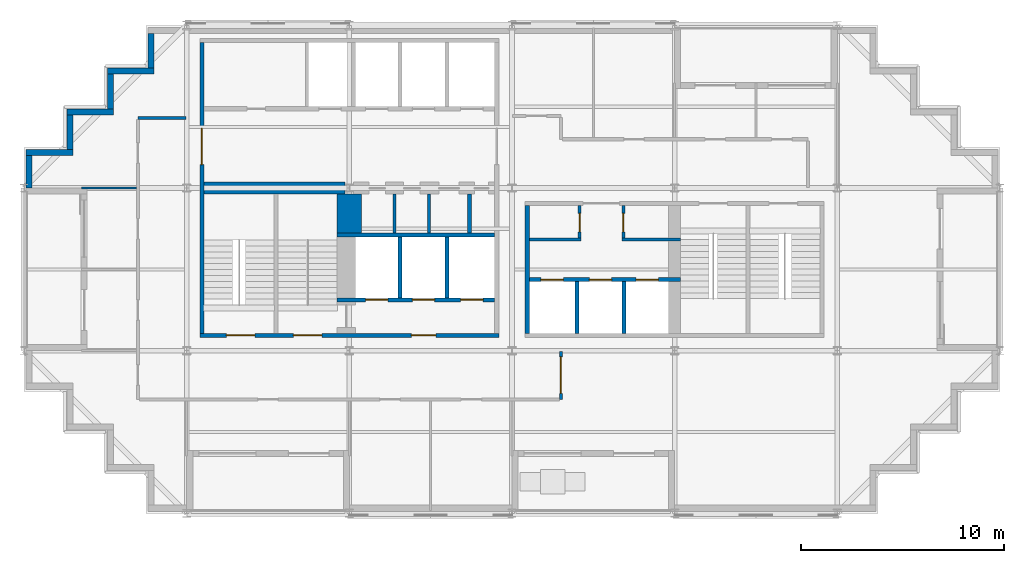
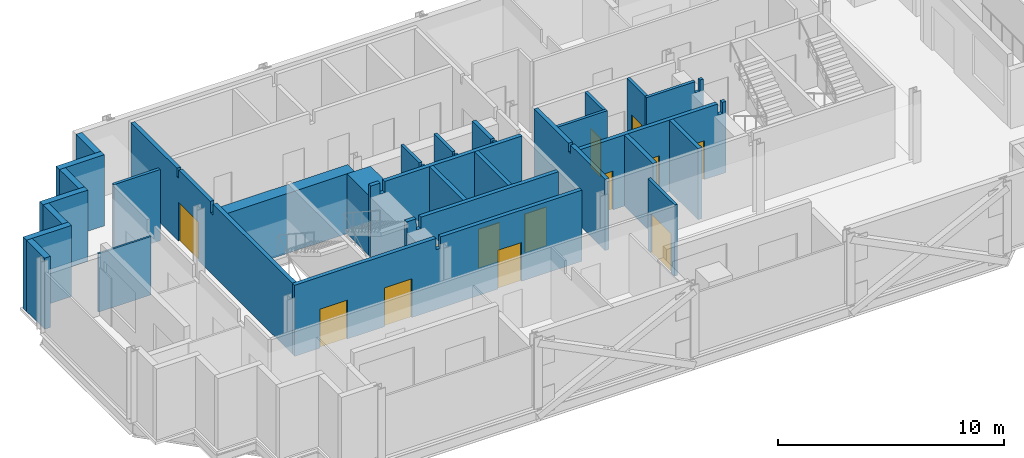
# One storey, part 3 of 8: 29 walls, 13 doors, 13 openings.
"""IFC4 building model written with IfcOpenShell, lengths in metres."""

from ifc_helpers import new_model, si_unit, direction, frame, frame_2d, origin, place, context, subcontext, project, spatial, polyline, rectangle, outline, extrude, material, layer, layer_set, type_object, element, fill, save


model = new_model("IFC4")

# Units and contexts
model_context = context("Model", 3, precision=1e-05, world=origin(), true_north=direction((0.0, 1.0)))
body_context = subcontext(model_context, "Body", "Model", "MODEL_VIEW")
ifc_project = project(units=[si_unit("LENGTHUNIT", "METRE"), si_unit("AREAUNIT", "SQUARE_METRE"), si_unit("VOLUMEUNIT", "CUBIC_METRE"), si_unit("PLANEANGLEUNIT", "RADIAN"), si_unit("MASSUNIT", "GRAM", prefix="KILO")], contexts=[model_context])

# Site, building, storey
site_placement = place(None, origin())
site = spatial("IfcSite", under=ifc_project, at=site_placement, CompositionType="ELEMENT")
building_placement = place(site_placement, origin())
building = spatial("IfcBuilding", under=site, at=building_placement, Name="Immortelle Media Tower", CompositionType="ELEMENT")
storey_placement = place(building_placement, frame((0.0, 0.0, 201.0)))
storey = spatial("IfcBuildingStorey", under=building, at=storey_placement, Name="L42", CompositionType="ELEMENT", Elevation=201.0)

# Walls
ifc_material_1 = material(Name="Fire-rated gypsum board", Category="gypsum")
ifc_layer_1 = layer(ifc_material_1, 0.02490234375)
ifc_material_2 = material(Name="Steel ASTM A653 SS Gr 50 stud frame with mineral wool", Category="steel")
ifc_layer_2 = layer(ifc_material_2, 0.10009765625)
ifc_layer_3 = layer(ifc_material_1, 0.02490234375)
ifc_layer_set_1 = layer_set([ifc_layer_1, ifc_layer_2, ifc_layer_3], Name="Steel ASTM A653 SS Gr 50 stud frame with mineral wool")
wall_type_1 = type_object("IfcWallType", Name="Core partition 150", PredefinedType="PARTITIONING", material=ifc_layer_set_1)
for number, where, z_axis, x_axis, name in (
    (1, (18.22509765625, 13.800048828125, 0.0), (0.0, 0.0, 1.0), (0.0, 1.0, 0.0), "Core partition SW"),
    (2, (19.925048828125, 13.800048828125, 0.0), (0.0, 0.0, 1.0), (0.0, 1.0, 0.0), "Core partition SW"),
):
    element("IfcWall", number, at=place(storey_placement, frame(where, z_axis=z_axis, x_axis=x_axis)), inside=storey, type_object=wall_type_1, Name=name, PredefinedType="PARTITIONING", context=body_context, shape_type="SweptSolid", body=[
        extrude(outline(polyline([(0.0, 0.0), (1.89990234375, 0.0), (1.89990234375, 3.85009765625), (0.281494140625, 3.85009765625), (0.280517578125, 3.388916015625), (0.119384765625, 3.388916015625), (0.118408203125, 3.85009765625), (0.0, 3.85009765625), (0.0, 0.0)])), frame((0.0, 0.074951171875, 0.0), z_axis=(0.0, -1.0, 0.0), x_axis=(1.0, 0.0, 0.0)), (0.0, 0.0, 1.0), 0.14990234375),
    ])
wall_1_placement = place(storey_placement, frame((24.85009765625, 13.47509765625, 0.0), z_axis=(0.0, 0.0, 1.0), x_axis=(1.0, 0.0, 0.0)))
element("IfcWall", 3, at=wall_1_placement, inside=storey, type_object=wall_type_1, Name="Core partition SE", PredefinedType="PARTITIONING", context=body_context, shape_type="SweptSolid", body=[
    extrude(rectangle(XDim=2.5498046875, YDim=0.14990234375, at=frame_2d((1.27490234375, 0.0))), origin(), (0.0, 0.0, 1.0), 3.85009765625),
])

# Wall, opening, door
wall_2_placement = place(storey_placement, frame((27.324951171875, 13.550048828125, 0.0), z_axis=(0.0, 0.0, 1.0), x_axis=(0.0, 1.0, 0.0)))
wall_2 = element("IfcWall", 4, at=wall_2_placement, inside=storey, type_object=wall_type_1, Name="Core partition SE", PredefinedType="PARTITIONING", context=body_context, shape_type="SweptSolid", body=[
    extrude(rectangle(XDim=1.599853515625, YDim=0.14990234375, at=frame_2d((0.7998046875, 0.0))), origin(), (0.0, 0.0, 1.0), 3.85009765625),
])
opening_1_placement = place(wall_2_placement, frame((0.300048828125, 0.0, 0.0)))
opening_1 = element("IfcOpeningElement", 5, at=opening_1_placement, cuts=wall_2, Name="Opening O2-K020", PredefinedType="OPENING", context=body_context, shape_type="SweptSolid", body=[
    extrude(rectangle(XDim=0.89990234375, YDim=2.10009765625, at=frame_2d((0.449951171875, 1.050048828125))), frame((0.0, 0.0849609375, 0.0), z_axis=(0.0, -1.0, 0.0), x_axis=(1.0, 0.0, 0.0)), (0.0, 0.0, 1.0), 0.169921875),
])
ifc_material_3 = material(Name="Galvanised steel door leaf and frame ASTM A653", Category="steel")
door_type_1 = type_object("IfcDoorType", Name="Service door 900 x 2100", OperationType="NOTDEFINED", PredefinedType="NOTDEFINED", material=ifc_material_3)
door_1_placement = place(opening_1_placement, origin())
door_1 = element("IfcDoor", 6, at=door_1_placement, inside=storey, type_object=door_type_1, Name="Service O2-K020", OperationType="SINGLE_SWING_RIGHT", OverallHeight=2.10009765625, OverallWidth=0.89990234375, PredefinedType="NOTDEFINED", context=body_context, shape_type="SweptSolid", body=[
    extrude(rectangle(XDim=0.89990234375, YDim=2.10009765625, at=frame_2d((0.449951171875, 1.050048828125))), frame((0.0, 0.02490234375, 0.0), z_axis=(0.0, -1.0, 0.0), x_axis=(1.0, 0.0, 0.0)), (0.0, 0.0, 1.0), 0.050048828125),
])
fill(opening_1, door_1)

# Wall
wall_3_placement = place(storey_placement, frame((29.39990234375, 13.47509765625, 0.0), z_axis=(0.0, 0.0, 1.0), x_axis=(1.0, 0.0, 0.0)))
element("IfcWall", 7, at=wall_3_placement, inside=storey, type_object=wall_type_1, Name="Core partition SE", PredefinedType="PARTITIONING", context=body_context, shape_type="SweptSolid", body=[
    extrude(outline(polyline([(0.0, 0.0), (2.900146484375, 0.0), (2.89990234375, 3.85009765625), (2.718994140625, 3.85009765625), (2.718017578125, 3.241943359375), (2.48193359375, 3.241943359375), (2.48095703125, 3.85009765625), (0.0, 3.85009765625), (0.0, 0.0)])), frame((0.0, 0.074951171875, 0.0), z_axis=(0.0, -1.0, 0.0), x_axis=(1.0, 0.0, 0.0)), (0.0, 0.0, 1.0), 0.14990234375),
])

# Wall, opening, door
wall_4_placement = place(storey_placement, frame((29.47509765625, 13.550048828125, 0.0), z_axis=(0.0, 0.0, 1.0), x_axis=(0.0, 1.0, 0.0)))
wall_4 = element("IfcWall", 8, at=wall_4_placement, inside=storey, type_object=wall_type_1, Name="Core partition SE", PredefinedType="PARTITIONING", context=body_context, shape_type="SweptSolid", body=[
    extrude(rectangle(XDim=1.599853515625, YDim=0.14990234375, at=frame_2d((0.7998046875, 0.0))), origin(), (0.0, 0.0, 1.0), 3.85009765625),
])
opening_2_placement = place(wall_4_placement, frame((1.199951171875, 0.0, 0.0), z_axis=(0.0, 0.0, 1.0), x_axis=(-1.0, 0.0, 0.0)))
opening_2 = element("IfcOpeningElement", 9, at=opening_2_placement, cuts=wall_4, Name="Opening O2-K023", PredefinedType="OPENING", context=body_context, shape_type="SweptSolid", body=[
    extrude(rectangle(XDim=0.89990234375, YDim=2.10009765625, at=frame_2d((0.449951171875, 1.050048828125))), frame((0.0, 0.0849609375, 0.0), z_axis=(0.0, -1.0, 0.0), x_axis=(1.0, 0.0, 0.0)), (0.0, 0.0, 1.0), 0.169921875),
])
ifc_material_4 = material(Name="Timber", Category="wood")
door_type_2 = type_object("IfcDoorType", Name="Room door 900 x 2100", OperationType="NOTDEFINED", PredefinedType="NOTDEFINED", material=ifc_material_4)
door_2_placement = place(opening_2_placement, origin())
door_2 = element("IfcDoor", 10, at=door_2_placement, inside=storey, type_object=door_type_2, Name="Room O2-K023", OperationType="SINGLE_SWING_RIGHT", OverallHeight=2.10009765625, OverallWidth=0.89990234375, PredefinedType="NOTDEFINED", context=body_context, shape_type="SweptSolid", body=[
    extrude(rectangle(XDim=0.89990234375, YDim=2.10009765625, at=frame_2d((0.449951171875, 1.050048828125))), frame((0.0, 0.02490234375, 0.0), z_axis=(0.0, -1.0, 0.0), x_axis=(1.0, 0.0, 0.0)), (0.0, 0.0, 1.0), 0.050048828125),
])
fill(opening_2, door_2)

# Wall, openings, doors
ifc_layer_4 = layer(ifc_material_1, 0.03759765625)
ifc_layer_5 = layer(ifc_material_2, 0.125)
ifc_layer_6 = layer(ifc_material_1, 0.03759765625)
ifc_layer_set_2 = layer_set([ifc_layer_4, ifc_layer_5, ifc_layer_6], Name="Steel ASTM A653 SS Gr 50 stud frame with mineral wool")
wall_type_2 = type_object("IfcWallType", Name="Core shaft wall 200", PredefinedType="PARTITIONING", material=ifc_layer_set_2)
wall_5_placement = place(storey_placement, frame((15.39990234375, 10.5, 0.0), z_axis=(0.0, 0.0, 1.0), x_axis=(1.0, 0.0, 0.0)))
wall_5 = element("IfcWall", 11, at=wall_5_placement, inside=storey, type_object=wall_type_2, Name="Core shaft wall SW", PredefinedType="PARTITIONING", context=body_context, shape_type="SweptSolid", body=[
    extrude(outline(polyline([(0.0, 0.0), (7.75, 0.0), (7.75, 3.85009765625), (0.718994140625, 3.85009765625), (0.718017578125, 3.241943359375), (0.48193359375, 3.241943359375), (0.48095703125, 3.85009765625), (0.0, 3.85009765625), (0.0, 0.0)])), frame((0.0, 0.10009765625, 0.0), z_axis=(0.0, -1.0, 0.0), x_axis=(1.0, 0.0, 0.0)), (0.0, 0.0, 1.0), 0.199951171875),
])
opening_3_placement = place(wall_5_placement, frame((1.39990234375, 0.0, 0.0)))
opening_3 = element("IfcOpeningElement", 12, at=opening_3_placement, cuts=wall_5, Name="Opening LD", PredefinedType="OPENING", context=body_context, shape_type="SweptSolid", body=[
    extrude(rectangle(XDim=1.10009765625, YDim=2.10009765625, at=frame_2d((0.550048828125, 1.050048828125))), frame((0.0, 0.10986328125, 0.0), z_axis=(0.0, -1.0, 0.0), x_axis=(1.0, 0.0, 0.0)), (0.0, 0.0, 1.0), 0.219970703125),
])
opening_4_placement = place(wall_5_placement, frame((3.699951171875, 0.0, 0.0)))
opening_4 = element("IfcOpeningElement", 13, at=opening_4_placement, cuts=wall_5, Name="Opening LD", PredefinedType="OPENING", context=body_context, shape_type="SweptSolid", body=[
    extrude(rectangle(XDim=1.10009765625, YDim=2.10009765625, at=frame_2d((0.550048828125, 1.050048828125))), frame((0.0, 0.10986328125, 0.0), z_axis=(0.0, -1.0, 0.0), x_axis=(1.0, 0.0, 0.0)), (0.0, 0.0, 1.0), 0.219970703125),
])
opening_5_placement = place(wall_5_placement, frame((6.074951171875, 0.0, 0.0)))
opening_5 = element("IfcOpeningElement", 14, at=opening_5_placement, cuts=wall_5, Name="Opening LD", PredefinedType="OPENING", context=body_context, shape_type="SweptSolid", body=[
    extrude(rectangle(XDim=1.10009765625, YDim=2.10009765625, at=frame_2d((0.550048828125, 1.050048828125))), frame((0.0, 0.10986328125, 0.0), z_axis=(0.0, -1.0, 0.0), x_axis=(1.0, 0.0, 0.0)), (0.0, 0.0, 1.0), 0.219970703125),
])
ifc_material_5 = material(Name="Stainless steel AISI 304", Category="steel")
door_type_3 = type_object("IfcDoorType", Name="Landing door 1100 x 2100", OperationType="SLIDING_TO_LEFT", PredefinedType="NOTDEFINED", material=ifc_material_5)
door_3_placement = place(opening_3_placement, origin())
door_3 = element("IfcDoor", 15, at=door_3_placement, inside=storey, type_object=door_type_3, Name="Landing door FF1 L42", OperationType="SLIDING_TO_LEFT", OverallHeight=2.10009765625, OverallWidth=1.10009765625, PredefinedType="NOTDEFINED", context=body_context, shape_type="SweptSolid", body=[
    extrude(rectangle(XDim=1.10009765625, YDim=2.10009765625, at=frame_2d((0.550048828125, 1.050048828125))), frame((0.0, 0.02490234375, 0.0), z_axis=(0.0, -1.0, 0.0), x_axis=(1.0, 0.0, 0.0)), (0.0, 0.0, 1.0), 0.050048828125),
])
fill(opening_3, door_3)
door_4_placement = place(opening_4_placement, origin())
door_4 = element("IfcDoor", 16, at=door_4_placement, inside=storey, type_object=door_type_3, Name="Landing door FF2 L42", OperationType="SLIDING_TO_LEFT", OverallHeight=2.10009765625, OverallWidth=1.10009765625, PredefinedType="NOTDEFINED", context=body_context, shape_type="SweptSolid", body=[
    extrude(rectangle(XDim=1.10009765625, YDim=2.10009765625, at=frame_2d((0.550048828125, 1.050048828125))), frame((0.0, 0.02490234375, 0.0), z_axis=(0.0, -1.0, 0.0), x_axis=(1.0, 0.0, 0.0)), (0.0, 0.0, 1.0), 0.050048828125),
])
fill(opening_4, door_4)
door_5_placement = place(opening_5_placement, origin())
door_5 = element("IfcDoor", 17, at=door_5_placement, inside=storey, type_object=door_type_3, Name="Landing door FF3 L42", OperationType="SLIDING_TO_LEFT", OverallHeight=2.10009765625, OverallWidth=1.10009765625, PredefinedType="NOTDEFINED", context=body_context, shape_type="SweptSolid", body=[
    extrude(rectangle(XDim=1.10009765625, YDim=2.10009765625, at=frame_2d((0.550048828125, 1.050048828125))), frame((0.0, 0.02490234375, 0.0), z_axis=(0.0, -1.0, 0.0), x_axis=(1.0, 0.0, 0.0)), (0.0, 0.0, 1.0), 0.050048828125),
])
fill(opening_5, door_5)

# Walls
wall_6_placement = place(storey_placement, frame((15.39990234375, 13.699951171875, 0.0), z_axis=(0.0, 0.0, 1.0), x_axis=(1.0, 0.0, 0.0)))
element("IfcWall", 18, at=wall_6_placement, inside=storey, type_object=wall_type_2, Name="Core shaft wall SW", PredefinedType="PARTITIONING", context=body_context, shape_type="SweptSolid", body=[
    extrude(outline(polyline([(0.0, 0.0), (7.75, 0.0), (7.75, 3.85009765625), (0.718994140625, 3.85009765625), (0.718017578125, 3.241943359375), (0.48193359375, 3.241943359375), (0.48095703125, 3.85009765625), (0.0, 3.85009765625), (0.0, 0.0)])), frame((0.0, 0.10009765625, 0.0), z_axis=(0.0, -1.0, 0.0), x_axis=(1.0, 0.0, 0.0)), (0.0, 0.0, 1.0), 0.199951171875),
])
for number, where, z_axis, x_axis, name in (
    (19, (18.5, 10.60009765625, 0.0), (0.0, 0.0, 1.0), (0.0, 1.0, 0.0), "Core shaft wall SW"),
    (20, (20.800048828125, 10.60009765625, 0.0), (0.0, 0.0, 1.0), (0.0, 1.0, 0.0), "Core shaft wall SW"),
):
    element("IfcWall", number, at=place(storey_placement, frame(where, z_axis=z_axis, x_axis=x_axis)), inside=storey, type_object=wall_type_2, Name=name, PredefinedType="PARTITIONING", context=body_context, shape_type="SweptSolid", body=[
        extrude(rectangle(XDim=3.0, YDim=0.199951171875, at=frame_2d((1.5, 0.0))), origin(), (0.0, 0.0, 1.0), 3.85009765625),
    ])
wall_7_placement = place(storey_placement, frame((21.89990234375, 13.800048828125, 0.0), z_axis=(0.0, 0.0, 1.0), x_axis=(0.0, 1.0, 0.0)))
element("IfcWall", 21, at=wall_7_placement, inside=storey, type_object=wall_type_2, Name="Core shaft wall SW", PredefinedType="PARTITIONING", context=body_context, shape_type="SweptSolid", body=[
    extrude(outline(polyline([(0.0, 0.0), (1.89990234375, 0.0), (1.89990234375, 3.85009765625), (0.281494140625, 3.85009765625), (0.280517578125, 3.388916015625), (0.119384765625, 3.388916015625), (0.118408203125, 3.85009765625), (0.0, 3.85009765625), (0.0, 0.0)])), frame((0.0, 0.10009765625, 0.0), z_axis=(0.0, -1.0, 0.0), x_axis=(1.0, 0.0, 0.0)), (0.0, 0.0, 1.0), 0.199951171875),
])
wall_8_placement = place(storey_placement, frame((24.75, 8.85009765625, 0.0), z_axis=(0.0, 0.0, 1.0), x_axis=(0.0, 1.0, 0.0)))
element("IfcWall", 22, at=wall_8_placement, inside=storey, type_object=wall_type_2, Name="Core shaft wall SE", PredefinedType="PARTITIONING", context=body_context, shape_type="SweptSolid", body=[
    extrude(outline(polyline([(0.0, 0.0), (6.2998046875, 0.0), (6.300048828125, 3.85009765625), (3.2314453125, 3.85009765625), (3.23046875, 3.388916015625), (3.069580078125, 3.388916015625), (3.068603515625, 3.85009765625), (0.0, 3.85009765625), (0.0, 0.0)])), frame((0.0, 0.10009765625, 0.0), z_axis=(0.0, -1.0, 0.0), x_axis=(1.0, 0.0, 0.0)), (0.0, 0.0, 1.0), 0.199951171875),
])

# Wall, openings, doors
wall_9_placement = place(storey_placement, frame((24.85009765625, 11.5, 0.0), z_axis=(0.0, 0.0, 1.0), x_axis=(1.0, 0.0, 0.0)))
wall_9 = element("IfcWall", 23, at=wall_9_placement, inside=storey, type_object=wall_type_2, Name="Core shaft wall SE", PredefinedType="PARTITIONING", context=body_context, shape_type="SweptSolid", body=[
    extrude(outline(polyline([(0.0, 0.0), (7.449951171875, 0.0), (7.449951171875, 3.85009765625), (7.26904296875, 3.85009765625), (7.26806640625, 3.241943359375), (7.031982421875, 3.241943359375), (7.031005859375, 3.85009765625), (0.0, 3.85009765625), (0.0, 0.0)])), frame((0.0, 0.10009765625, 0.0), z_axis=(0.0, -1.0, 0.0), x_axis=(1.0, 0.0, 0.0)), (0.0, 0.0, 1.0), 0.199951171875),
])
opening_6_placement = place(wall_9_placement, frame((0.574951171875, 0.0, 0.0)))
opening_6 = element("IfcOpeningElement", 24, at=opening_6_placement, cuts=wall_9, Name="Opening LD", PredefinedType="OPENING", context=body_context, shape_type="SweptSolid", body=[
    extrude(rectangle(XDim=1.10009765625, YDim=2.10009765625, at=frame_2d((0.550048828125, 1.050048828125))), frame((0.0, 0.10986328125, 0.0), z_axis=(0.0, -1.0, 0.0), x_axis=(1.0, 0.0, 0.0)), (0.0, 0.0, 1.0), 0.219970703125),
])
opening_7_placement = place(wall_9_placement, frame((2.949951171875, 0.0, 0.0)))
opening_7 = element("IfcOpeningElement", 25, at=opening_7_placement, cuts=wall_9, Name="Opening LD", PredefinedType="OPENING", context=body_context, shape_type="SweptSolid", body=[
    extrude(rectangle(XDim=1.10009765625, YDim=2.10009765625, at=frame_2d((0.550048828125, 1.050048828125))), frame((0.0, 0.10986328125, 0.0), z_axis=(0.0, -1.0, 0.0), x_axis=(1.0, 0.0, 0.0)), (0.0, 0.0, 1.0), 0.219970703125),
])
opening_8_placement = place(wall_9_placement, frame((5.25, 0.0, 0.0)))
opening_8 = element("IfcOpeningElement", 26, at=opening_8_placement, cuts=wall_9, Name="Opening LD", PredefinedType="OPENING", context=body_context, shape_type="SweptSolid", body=[
    extrude(rectangle(XDim=1.10009765625, YDim=2.10009765625, at=frame_2d((0.550048828125, 1.050048828125))), frame((0.0, 0.10986328125, 0.0), z_axis=(0.0, -1.0, 0.0), x_axis=(1.0, 0.0, 0.0)), (0.0, 0.0, 1.0), 0.219970703125),
])
door_6_placement = place(opening_6_placement, origin())
door_6 = element("IfcDoor", 27, at=door_6_placement, inside=storey, type_object=door_type_3, Name="Landing door HS1 L42", OperationType="SLIDING_TO_LEFT", OverallHeight=2.10009765625, OverallWidth=1.10009765625, PredefinedType="NOTDEFINED", context=body_context, shape_type="SweptSolid", body=[
    extrude(rectangle(XDim=1.10009765625, YDim=2.10009765625, at=frame_2d((0.550048828125, 1.050048828125))), frame((0.0, 0.02490234375, 0.0), z_axis=(0.0, -1.0, 0.0), x_axis=(1.0, 0.0, 0.0)), (0.0, 0.0, 1.0), 0.050048828125),
])
fill(opening_6, door_6)
door_7_placement = place(opening_7_placement, origin())
door_7 = element("IfcDoor", 28, at=door_7_placement, inside=storey, type_object=door_type_3, Name="Landing door HS2 L42", OperationType="SLIDING_TO_LEFT", OverallHeight=2.10009765625, OverallWidth=1.10009765625, PredefinedType="NOTDEFINED", context=body_context, shape_type="SweptSolid", body=[
    extrude(rectangle(XDim=1.10009765625, YDim=2.10009765625, at=frame_2d((0.550048828125, 1.050048828125))), frame((0.0, 0.02490234375, 0.0), z_axis=(0.0, -1.0, 0.0), x_axis=(1.0, 0.0, 0.0)), (0.0, 0.0, 1.0), 0.050048828125),
])
fill(opening_7, door_7)
door_8_placement = place(opening_8_placement, origin())
door_8 = element("IfcDoor", 29, at=door_8_placement, inside=storey, type_object=door_type_3, Name="Landing door HS3 L42", OperationType="SLIDING_TO_LEFT", OverallHeight=2.10009765625, OverallWidth=1.10009765625, PredefinedType="NOTDEFINED", context=body_context, shape_type="SweptSolid", body=[
    extrude(rectangle(XDim=1.10009765625, YDim=2.10009765625, at=frame_2d((0.550048828125, 1.050048828125))), frame((0.0, 0.02490234375, 0.0), z_axis=(0.0, -1.0, 0.0), x_axis=(1.0, 0.0, 0.0)), (0.0, 0.0, 1.0), 0.050048828125),
])
fill(opening_8, door_8)

# Walls
for number, where, z_axis, x_axis, name in (
    (30, (27.199951171875, 8.85009765625, 0.0), (0.0, 0.0, 1.0), (0.0, 1.0, 0.0), "Core shaft wall SE"),
    (31, (29.5, 8.85009765625, 0.0), (0.0, 0.0, 1.0), (0.0, 1.0, 0.0), "Core shaft wall SE"),
):
    element("IfcWall", number, at=place(storey_placement, frame(where, z_axis=z_axis, x_axis=x_axis)), inside=storey, type_object=wall_type_2, Name=name, PredefinedType="PARTITIONING", context=body_context, shape_type="SweptSolid", body=[
        extrude(rectangle(XDim=2.5498046875, YDim=0.199951171875, at=frame_2d((1.27490234375, 0.0))), origin(), (0.0, 0.0, 1.0), 3.85009765625),
    ])

# Wall, opening, door
ifc_layer_7 = layer(ifc_material_1, 0.012451171875)
ifc_layer_8 = layer(ifc_material_2, 0.125)
ifc_layer_9 = layer(ifc_material_1, 0.012451171875)
ifc_layer_set_3 = layer_set([ifc_layer_7, ifc_layer_8, ifc_layer_9], Name="Steel ASTM A653 SS Gr 50 stud frame with mineral wool")
wall_type_3 = type_object("IfcWallType", Name="Corridor wall 150", PredefinedType="PARTITIONING", material=ifc_layer_set_3)
wall_10_placement = place(storey_placement, frame((26.39990234375, 5.60009765625, 0.0), z_axis=(0.0, 0.0, 1.0), x_axis=(0.0, 1.0, 0.0)))
wall_10 = element("IfcWall", 32, at=wall_10_placement, inside=storey, type_object=wall_type_3, Name="Partition L42-007", PredefinedType="PARTITIONING", context=body_context, shape_type="SweptSolid", body=[
    extrude(rectangle(XDim=2.369873046875, YDim=0.14990234375, at=frame_2d((1.18505859375, 0.0))), origin(), (0.0, 0.0, 1.0), 3.85009765625),
])
opening_9_placement = place(wall_10_placement, frame((0.300048828125, 0.0, 0.0)))
opening_9 = element("IfcOpeningElement", 33, at=opening_9_placement, cuts=wall_10, Name="Opening O2-F005", PredefinedType="OPENING", context=body_context, shape_type="SweptSolid", body=[
    extrude(rectangle(XDim=1.800048828125, YDim=2.10009765625, at=frame_2d((0.89990234375, 1.050048828125))), frame((0.0, 0.0849609375, 0.0), z_axis=(0.0, -1.0, 0.0), x_axis=(1.0, 0.0, 0.0)), (0.0, 0.0, 1.0), 0.169921875),
])
ifc_material_6 = material(Name="Timber veneered door leaf, galvanised steel frame ASTM A653", Category="steel")
door_type_4 = type_object("IfcDoorType", Name="Room door 1800 x 2100", OperationType="DOUBLE_DOOR_SINGLE_SWING", PredefinedType="DOOR", material=ifc_material_6)
door_9_placement = place(opening_9_placement, origin())
door_9 = element("IfcDoor", 34, at=door_9_placement, inside=storey, type_object=door_type_4, Name="Door O2-F005", OperationType="DOUBLE_DOOR_SINGLE_SWING", OverallHeight=2.10009765625, OverallWidth=1.800048828125, PredefinedType="DOOR", context=body_context, shape_type="SweptSolid", body=[
    extrude(rectangle(XDim=1.800048828125, YDim=2.10009765625, at=frame_2d((0.89990234375, 1.050048828125))), frame((0.0, 0.02490234375, 0.0), z_axis=(0.0, -1.0, 0.0), x_axis=(1.0, 0.0, 0.0)), (0.0, 0.0, 1.0), 0.050048828125),
])
fill(opening_9, door_9)

# Walls
wall_11_placement = place(storey_placement, frame((5.60009765625, 19.449951171875, 0.0), z_axis=(0.0, 0.0, 1.0), x_axis=(1.0, 0.0, 0.0)))
element("IfcWall", 35, at=wall_11_placement, inside=storey, type_object=wall_type_3, Name="Partition L42-018", PredefinedType="PARTITIONING", context=body_context, shape_type="SweptSolid", body=[
    extrude(rectangle(XDim=2.369873046875, YDim=0.14990234375, at=frame_2d((1.18505859375, 0.0))), origin(), (0.0, 0.0, 1.0), 3.85009765625),
])
ifc_material_7 = material(Name="Pale aluminium cladding panel", Category="aluminium")
ifc_layer_10 = layer(ifc_material_7, 0.030029296875)
ifc_layer_11 = layer(ifc_material_2, 0.257568359375)
ifc_material_8 = material(Name="Moisture-resistant gypsum board", Category="gypsum")
ifc_layer_12 = layer(ifc_material_8, 0.012451171875)
ifc_layer_set_4 = layer_set([ifc_layer_10, ifc_layer_11, ifc_layer_12], Name="Steel ASTM A653 SS Gr 50 stud frame with mineral wool")
wall_type_4 = type_object("IfcWallType", Name="Facade wall 300", PredefinedType="SOLIDWALL", material=ifc_layer_set_4)
wall_12_placement = place(storey_placement, frame((6.25, 23.60009765625, 0.0), z_axis=(0.0, 0.0, 1.0), x_axis=(0.0, -1.0, 0.0)))
element("IfcWall", 36, at=wall_12_placement, inside=storey, type_object=wall_type_4, Name="Facade wall L42 W21", PredefinedType="SOLIDWALL", context=body_context, shape_type="SweptSolid", body=[
    extrude(rectangle(XDim=1.7001953125, YDim=0.300048828125, at=frame_2d((0.85009765625, 0.0))), origin(), (0.0, 0.0, 1.0), 3.85009765625),
])
wall_13_placement = place(storey_placement, frame((6.39990234375, 21.75, 0.0), z_axis=(0.0, 0.0, 1.0), x_axis=(-1.0, 0.0, 0.0)))
element("IfcWall", 37, at=wall_13_placement, inside=storey, type_object=wall_type_4, Name="Facade wall L42 N22", PredefinedType="SOLIDWALL", context=body_context, shape_type="SweptSolid", body=[
    extrude(rectangle(XDim=2.2998046875, YDim=0.300048828125, at=frame_2d((1.14990234375, 0.0))), origin(), (0.0, 0.0, 1.0), 3.85009765625),
])
wall_14_placement = place(storey_placement, frame((4.25, 21.60009765625, 0.0), z_axis=(0.0, 0.0, 1.0), x_axis=(0.0, -1.0, 0.0)))
element("IfcWall", 38, at=wall_14_placement, inside=storey, type_object=wall_type_4, Name="Facade wall L42 W23", PredefinedType="SOLIDWALL", context=body_context, shape_type="SweptSolid", body=[
    extrude(rectangle(XDim=1.7001953125, YDim=0.300048828125, at=frame_2d((0.85009765625, 0.0))), origin(), (0.0, 0.0, 1.0), 3.85009765625),
])
wall_15_placement = place(storey_placement, frame((4.39990234375, 19.75, 0.0), z_axis=(0.0, 0.0, 1.0), x_axis=(-1.0, 0.0, 0.0)))
element("IfcWall", 39, at=wall_15_placement, inside=storey, type_object=wall_type_4, Name="Facade wall L42 N24", PredefinedType="SOLIDWALL", context=body_context, shape_type="SweptSolid", body=[
    extrude(rectangle(XDim=2.2998046875, YDim=0.300048828125, at=frame_2d((1.14990234375, 0.0))), origin(), (0.0, 0.0, 1.0), 3.85009765625),
])
wall_16_placement = place(storey_placement, frame((2.25, 19.60009765625, 0.0), z_axis=(0.0, 0.0, 1.0), x_axis=(0.0, -1.0, 0.0)))
element("IfcWall", 40, at=wall_16_placement, inside=storey, type_object=wall_type_4, Name="Facade wall L42 W25", PredefinedType="SOLIDWALL", context=body_context, shape_type="SweptSolid", body=[
    extrude(rectangle(XDim=1.7001953125, YDim=0.300048828125, at=frame_2d((0.85009765625, 0.0))), origin(), (0.0, 0.0, 1.0), 3.85009765625),
])
wall_17_placement = place(storey_placement, frame((2.39990234375, 17.75, 0.0), z_axis=(0.0, 0.0, 1.0), x_axis=(-1.0, 0.0, 0.0)))
element("IfcWall", 41, at=wall_17_placement, inside=storey, type_object=wall_type_4, Name="Facade wall L42 N26", PredefinedType="SOLIDWALL", context=body_context, shape_type="SweptSolid", body=[
    extrude(rectangle(XDim=2.2998046875, YDim=0.300048828125, at=frame_2d((1.14990234375, 0.0))), origin(), (0.0, 0.0, 1.0), 3.85009765625),
])
wall_18_placement = place(storey_placement, frame((0.25, 17.60009765625, 0.0), z_axis=(0.0, 0.0, 1.0), x_axis=(0.0, -1.0, 0.0)))
element("IfcWall", 42, at=wall_18_placement, inside=storey, type_object=wall_type_4, Name="Facade wall L42 W27", PredefinedType="SOLIDWALL", context=body_context, shape_type="SweptSolid", body=[
    extrude(rectangle(XDim=1.60009765625, YDim=0.300048828125, at=frame_2d((0.800048828125, 0.0))), origin(), (0.0, 0.0, 1.0), 3.85009765625),
])
ifc_material_9 = material(Name="Gypsum board", Category="gypsum")
ifc_layer_13 = layer(ifc_material_9, 0.012451171875)
ifc_layer_14 = layer(ifc_material_2, 0.074951171875)
ifc_layer_15 = layer(ifc_material_9, 0.012451171875)
ifc_layer_set_5 = layer_set([ifc_layer_13, ifc_layer_14, ifc_layer_15], Name="Steel ASTM A653 SS Gr 50 stud frame with mineral wool")
wall_type_5 = type_object("IfcWallType", Name="Partition 100", PredefinedType="PARTITIONING", material=ifc_layer_set_5)
wall_19_placement = place(storey_placement, frame((2.830078125, 16.0, 0.0), z_axis=(0.0, 0.0, 1.0), x_axis=(1.0, 0.0, 0.0)))
element("IfcWall", 43, at=wall_19_placement, inside=storey, type_object=wall_type_5, Name="Partition L42-010", PredefinedType="PARTITIONING", context=body_context, shape_type="SweptSolid", body=[
    extrude(rectangle(XDim=2.69482421875, YDim=0.10009765625, at=frame_2d((1.347412109375, 0.0))), origin(), (0.0, 0.0, 1.0), 3.156982421875),
])
ifc_material_10 = material(Name="Concrete C60", Category="concrete")
ifc_layer_16 = layer(ifc_material_10, 1.199951171875)
ifc_layer_set_6 = layer_set([ifc_layer_16], Name="Concrete C60")
wall_type_6 = type_object("IfcWallType", Name="Stair shaft wall 1200", PredefinedType="PARTITIONING", material=ifc_layer_set_6)
wall_20_placement = place(storey_placement, frame((16.0, 13.800048828125, 0.0), z_axis=(0.0, 0.0, 1.0), x_axis=(0.0, 1.0, 0.0)))
element("IfcWall", 44, at=wall_20_placement, inside=storey, type_object=wall_type_6, Name="Stair shaft wall SW", PredefinedType="PARTITIONING", context=body_context, shape_type="SweptSolid", body=[
    extrude(rectangle(XDim=1.89990234375, YDim=1.199951171875, at=frame_2d((0.949951171875, 0.0))), origin(), (0.0, 0.0, 1.0), 3.241943359375),
])

# Wall, openings, doors
ifc_layer_17 = layer(ifc_material_10, 0.199951171875)
ifc_layer_set_7 = layer_set([ifc_layer_17], Name="Concrete C60")
wall_type_7 = type_object("IfcWallType", Name="Stair shaft wall 200", PredefinedType="PARTITIONING", material=ifc_layer_set_7)
wall_21_placement = place(storey_placement, frame((8.64990234375, 8.75, 0.0), z_axis=(0.0, 0.0, 1.0), x_axis=(1.0, 0.0, 0.0)))
wall_21 = element("IfcWall", 45, at=wall_21_placement, inside=storey, type_object=wall_type_7, Name="Stair shaft wall SW", PredefinedType="PARTITIONING", context=body_context, shape_type="SweptSolid", body=[
    extrude(outline(polyline([(0.0, 0.0), (14.7001953125, 0.0), (14.699951171875, 3.85009765625), (7.468994140625, 3.85009765625), (7.468017578125, 3.241943359375), (7.23193359375, 3.241943359375), (7.23095703125, 3.85009765625), (0.0, 3.85009765625), (0.0, 0.0)])), frame((0.0, 0.10009765625, 0.0), z_axis=(0.0, -1.0, 0.0), x_axis=(1.0, 0.0, 0.0)), (0.0, 0.0, 1.0), 0.199951171875),
])
opening_10_placement = place(wall_21_placement, frame((1.300048828125, 0.0, 0.0)))
opening_10 = element("IfcOpeningElement", 46, at=opening_10_placement, cuts=wall_21, Name="Opening O2-K002", PredefinedType="OPENING", context=body_context, shape_type="SweptSolid", body=[
    extrude(rectangle(XDim=1.39990234375, YDim=2.10009765625, at=frame_2d((0.699951171875, 1.050048828125))), frame((0.0, 0.10986328125, 0.0), z_axis=(0.0, -1.0, 0.0), x_axis=(1.0, 0.0, 0.0)), (0.0, 0.0, 1.0), 0.219970703125),
])
opening_11_placement = place(wall_21_placement, frame((4.60009765625, 0.0, 0.0)))
opening_11 = element("IfcOpeningElement", 47, at=opening_11_placement, cuts=wall_21, Name="Opening O2-K004", PredefinedType="OPENING", context=body_context, shape_type="SweptSolid", body=[
    extrude(rectangle(XDim=1.39990234375, YDim=2.10009765625, at=frame_2d((0.699951171875, 1.050048828125))), frame((0.0, 0.10986328125, 0.0), z_axis=(0.0, -1.0, 0.0), x_axis=(1.0, 0.0, 0.0)), (0.0, 0.0, 1.0), 0.219970703125),
])
opening_12_placement = place(wall_21_placement, frame((10.39990234375, 0.0, 0.0)))
opening_12 = element("IfcOpeningElement", 48, at=opening_12_placement, cuts=wall_21, Name="Opening O2-K011", PredefinedType="OPENING", context=body_context, shape_type="SweptSolid", body=[
    extrude(rectangle(XDim=1.199951171875, YDim=2.10009765625, at=frame_2d((0.60009765625, 1.050048828125))), frame((0.0, 0.10986328125, 0.0), z_axis=(0.0, -1.0, 0.0), x_axis=(1.0, 0.0, 0.0)), (0.0, 0.0, 1.0), 0.219970703125),
])
door_type_5 = type_object("IfcDoorType", Name="Fire-fighting lobby door 1200 x 2100", OperationType="NOTDEFINED", PredefinedType="NOTDEFINED", material=ifc_material_3)
door_10_placement = place(opening_12_placement, origin())
door_10 = element("IfcDoor", 49, at=door_10_placement, inside=storey, type_object=door_type_5, Name="Fire-fighting lobby O2-K011", OperationType="SINGLE_SWING_RIGHT", OverallHeight=2.10009765625, OverallWidth=1.199951171875, PredefinedType="NOTDEFINED", context=body_context, shape_type="SweptSolid", body=[
    extrude(rectangle(XDim=1.199951171875, YDim=2.10009765625, at=frame_2d((0.60009765625, 1.050048828125))), frame((0.0, 0.02490234375, 0.0), z_axis=(0.0, -1.0, 0.0), x_axis=(1.0, 0.0, 0.0)), (0.0, 0.0, 1.0), 0.050048828125),
])
fill(opening_12, door_10)
door_type_6 = type_object("IfcDoorType", Name="Stair door 1400 x 2100", OperationType="DOUBLE_DOOR_SINGLE_SWING", PredefinedType="NOTDEFINED", material=ifc_material_3)
door_11_placement = place(opening_10_placement, origin())
door_11 = element("IfcDoor", 50, at=door_11_placement, inside=storey, type_object=door_type_6, Name="Stair O2-K002", OperationType="DOUBLE_DOOR_SINGLE_SWING", OverallHeight=2.10009765625, OverallWidth=1.39990234375, PredefinedType="NOTDEFINED", context=body_context, shape_type="SweptSolid", body=[
    extrude(rectangle(XDim=1.39990234375, YDim=2.10009765625, at=frame_2d((0.699951171875, 1.050048828125))), frame((0.0, 0.02490234375, 0.0), z_axis=(0.0, -1.0, 0.0), x_axis=(1.0, 0.0, 0.0)), (0.0, 0.0, 1.0), 0.050048828125),
])
fill(opening_10, door_11)
door_12_placement = place(opening_11_placement, origin())
door_12 = element("IfcDoor", 51, at=door_12_placement, inside=storey, type_object=door_type_6, Name="Stair O2-K004", OperationType="DOUBLE_DOOR_SINGLE_SWING", OverallHeight=2.10009765625, OverallWidth=1.39990234375, PredefinedType="NOTDEFINED", context=body_context, shape_type="SweptSolid", body=[
    extrude(rectangle(XDim=1.39990234375, YDim=2.10009765625, at=frame_2d((0.699951171875, 1.050048828125))), frame((0.0, 0.02490234375, 0.0), z_axis=(0.0, -1.0, 0.0), x_axis=(1.0, 0.0, 0.0)), (0.0, 0.0, 1.0), 0.050048828125),
])
fill(opening_11, door_12)

# Wall, opening, door
wall_22_placement = place(storey_placement, frame((8.75, 8.85009765625, 0.0), z_axis=(0.0, 0.0, 1.0), x_axis=(0.0, 1.0, 0.0)))
wall_22 = element("IfcWall", 52, at=wall_22_placement, inside=storey, type_object=wall_type_7, Name="Stair shaft wall SW", PredefinedType="PARTITIONING", context=body_context, shape_type="SweptSolid", body=[
    extrude(outline(polyline([(0.0, 0.0), (14.2998046875, 0.0), (14.300048828125, 3.85009765625), (10.2314453125, 3.85009765625), (10.23046875, 3.388916015625), (10.069580078125, 3.388916015625), (10.068603515625, 3.85009765625), (7.26904296875, 3.85009765625), (7.26806640625, 3.241943359375), (7.031982421875, 3.241943359375), (7.031005859375, 3.85009765625), (0.0, 3.85009765625), (0.0, 0.0)])), frame((0.0, 0.10009765625, 0.0), z_axis=(0.0, -1.0, 0.0), x_axis=(1.0, 0.0, 0.0)), (0.0, 0.0, 1.0), 0.199951171875),
])
opening_13_placement = place(wall_22_placement, frame((8.300048828125, 0.0, 0.0)))
opening_13 = element("IfcOpeningElement", 53, at=opening_13_placement, cuts=wall_22, Name="Opening O2-K001", PredefinedType="OPENING", context=body_context, shape_type="SweptSolid", body=[
    extrude(rectangle(XDim=1.800048828125, YDim=2.10009765625, at=frame_2d((0.89990234375, 1.050048828125))), frame((0.0, 0.10986328125, 0.0), z_axis=(0.0, -1.0, 0.0), x_axis=(1.0, 0.0, 0.0)), (0.0, 0.0, 1.0), 0.219970703125),
])
door_type_7 = type_object("IfcDoorType", Name="Lift lobby door 1800 x 2100", OperationType="DOUBLE_DOOR_SINGLE_SWING", PredefinedType="NOTDEFINED", material=ifc_material_3)
door_13_placement = place(opening_13_placement, origin())
door_13 = element("IfcDoor", 54, at=door_13_placement, inside=storey, type_object=door_type_7, Name="Lift lobby O2-K001", OperationType="DOUBLE_DOOR_SINGLE_SWING", OverallHeight=2.10009765625, OverallWidth=1.800048828125, PredefinedType="NOTDEFINED", context=body_context, shape_type="SweptSolid", body=[
    extrude(rectangle(XDim=1.800048828125, YDim=2.10009765625, at=frame_2d((0.89990234375, 1.050048828125))), frame((0.0, 0.02490234375, 0.0), z_axis=(0.0, -1.0, 0.0), x_axis=(1.0, 0.0, 0.0)), (0.0, 0.0, 1.0), 0.050048828125),
])
fill(opening_13, door_13)

# Wall
ifc_layer_18 = layer(ifc_material_10, 0.60009765625)
ifc_layer_set_8 = layer_set([ifc_layer_18], Name="Concrete C60")
wall_type_8 = type_object("IfcWallType", Name="Stair shaft wall 600", PredefinedType="PARTITIONING", material=ifc_layer_set_8)
wall_23_placement = place(storey_placement, frame((8.85009765625, 16.0, 0.0), z_axis=(0.0, 0.0, 1.0), x_axis=(1.0, 0.0, 0.0)))
element("IfcWall", 55, at=wall_23_placement, inside=storey, type_object=wall_type_8, Name="Stair shaft wall SW", PredefinedType="PARTITIONING", context=body_context, shape_type="SweptSolid", body=[
    extrude(rectangle(XDim=6.94287109375, YDim=0.60009765625, at=frame_2d((3.471435546875, 0.0))), origin(), (0.0, 0.0, 1.0), 3.241943359375),
])

save(model, "model.ifc")
